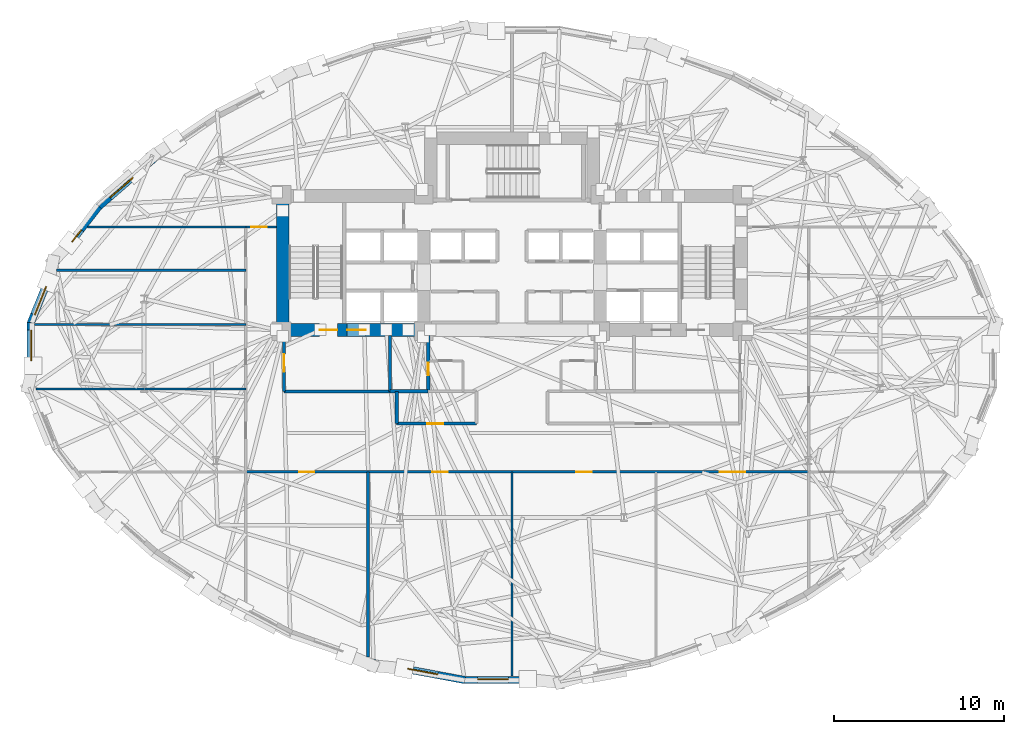
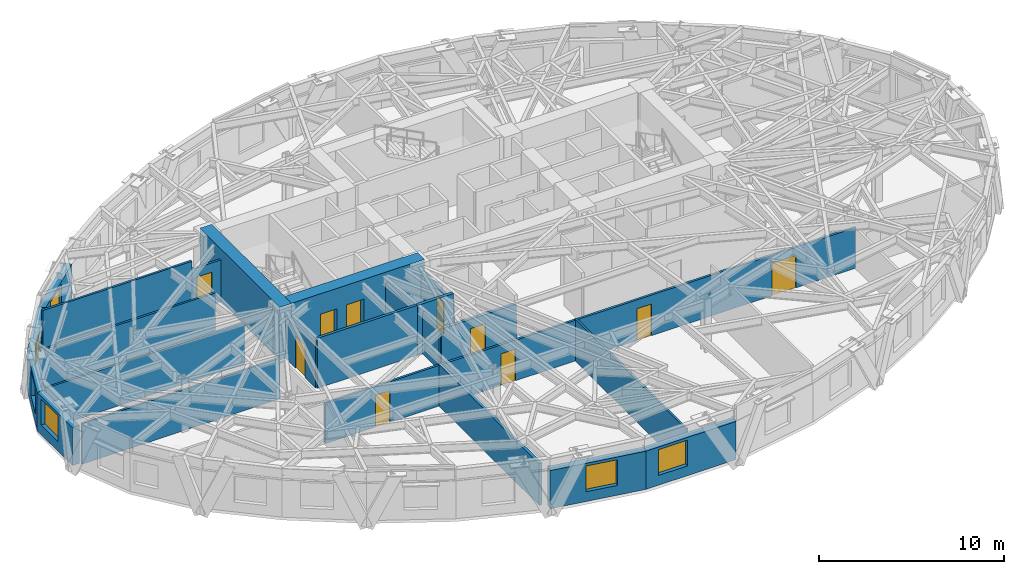
# One storey, part 7 of 15: 23 walls, 10 doors, 6 windows, 16 openings.
"""IFC4 building model written with IfcOpenShell, lengths in metres."""

from ifc_helpers import new_model, si_unit, direction, frame, frame_2d, origin, place, context, subcontext, project, spatial, rectangle, extrude, material, layer, layer_set, type_object, element, fill, save


model = new_model("IFC4")

# Units and contexts
model_context = context("Model", 3, precision=1e-05, world=origin(), true_north=direction((0.0, 1.0)))
body_context = subcontext(model_context, "Body", "Model", "MODEL_VIEW")
ifc_project = project(units=[si_unit("LENGTHUNIT", "METRE"), si_unit("AREAUNIT", "SQUARE_METRE"), si_unit("VOLUMEUNIT", "CUBIC_METRE"), si_unit("PLANEANGLEUNIT", "RADIAN"), si_unit("MASSUNIT", "GRAM", prefix="KILO")], contexts=[model_context])

# Site, building, storey
site_placement = place(None, origin())
site = spatial("IfcSite", under=ifc_project, at=site_placement, CompositionType="ELEMENT")
building_placement = place(site_placement, origin())
building = spatial("IfcBuilding", under=site, at=building_placement, Name="Keldmark Tower", CompositionType="ELEMENT")
storey_placement = place(building_placement, frame((0.0, 0.0, 93.10009765625)))
storey = spatial("IfcBuildingStorey", under=building, at=storey_placement, Name="L24", CompositionType="ELEMENT", Elevation=93.10009765625)

# Wall, openings, doors
ifc_material_1 = material(Name="Acoustic Double-Layer Gypsum Corridor Partition", Category="gypsum")
ifc_layer_1 = layer(ifc_material_1, 0.139892578125)
ifc_layer_set_1 = layer_set([ifc_layer_1], Name="Acoustic Double-Layer Gypsum Corridor Partition")
wall_type_1 = type_object("IfcWallType", Name="Acoustic Corridor Partition 140 mm", PredefinedType="PARTITIONING", material=ifc_layer_set_1)
wall_1_placement = place(storey_placement, frame((-15.699951171875, -6.89990234375, 0.0), z_axis=(0.0, 0.0, 1.0), x_axis=(1.0, 0.0, 0.0)))
wall_1 = element("IfcWall", 1, at=wall_1_placement, inside=storey, type_object=wall_type_1, Name="L24 Acoustic Corridor Partition 140 mm COR-S", PredefinedType="PARTITIONING", context=body_context, shape_type="SweptSolid", body=[
    extrude(rectangle(XDim=33.199951171875, YDim=0.139892578125, at=frame_2d((16.60009765625, 0.0))), origin(), (0.0, 0.0, 1.0), 2.68798828125),
])
opening_1_placement = place(wall_1_placement, frame((3.14990234375, 0.0, 0.0)))
opening_1 = element("IfcOpeningElement", 2, at=opening_1_placement, cuts=wall_1, Name="Opening D-IN090", PredefinedType="OPENING", context=body_context, shape_type="SweptSolid", body=[
    extrude(rectangle(XDim=0.89990234375, YDim=2.10009765625, at=frame_2d((0.449951171875, 1.050048828125))), frame((0.0, 0.079833984375, 0.0), z_axis=(0.0, -1.0, 0.0), x_axis=(1.0, 0.0, 0.0)), (0.0, 0.0, 1.0), 0.159912109375),
])
opening_2_placement = place(wall_1_placement, frame((11.0, 0.0, 0.0)))
opening_2 = element("IfcOpeningElement", 3, at=opening_2_placement, cuts=wall_1, Name="Opening D-IN090", PredefinedType="OPENING", context=body_context, shape_type="SweptSolid", body=[
    extrude(rectangle(XDim=0.89990234375, YDim=2.10009765625, at=frame_2d((0.449951171875, 1.050048828125))), frame((0.0, 0.079833984375, 0.0), z_axis=(0.0, -1.0, 0.0), x_axis=(1.0, 0.0, 0.0)), (0.0, 0.0, 1.0), 0.159912109375),
])
opening_3_placement = place(wall_1_placement, frame((19.5, 0.0, 0.0)))
opening_3 = element("IfcOpeningElement", 4, at=opening_3_placement, cuts=wall_1, Name="Opening D-IN090", PredefinedType="OPENING", context=body_context, shape_type="SweptSolid", body=[
    extrude(rectangle(XDim=0.89990234375, YDim=2.10009765625, at=frame_2d((0.449951171875, 1.050048828125))), frame((0.0, 0.079833984375, 0.0), z_axis=(0.0, -1.0, 0.0), x_axis=(1.0, 0.0, 0.0)), (0.0, 0.0, 1.0), 0.159912109375),
])
opening_4_placement = place(wall_1_placement, frame((27.949951171875, 0.0, 0.0)))
opening_4 = element("IfcOpeningElement", 5, at=opening_4_placement, cuts=wall_1, Name="Opening D-CF150", PredefinedType="OPENING", context=body_context, shape_type="SweptSolid", body=[
    extrude(rectangle(XDim=1.5, YDim=2.14990234375, at=frame_2d((0.75, 1.074951171875))), frame((0.0, 0.079833984375, 0.0), z_axis=(0.0, -1.0, 0.0), x_axis=(1.0, 0.0, 0.0)), (0.0, 0.0, 1.0), 0.159912109375),
])
ifc_material_2 = material(Name="Acoustic Timber and Tempered Glass Double Door", Category="wood")
door_type_1 = type_object("IfcDoorType", Name="Conference Double Door 1500x2150", OperationType="DOUBLE_DOOR_SINGLE_SWING", PredefinedType="DOOR", material=ifc_material_2)
door_1_placement = place(opening_4_placement, origin())
door_1 = element("IfcDoor", 6, at=door_1_placement, inside=storey, type_object=door_type_1, Name="L24 Conference Double Door 1500x2150 D-SR-4-L24", OperationType="DOUBLE_DOOR_SINGLE_SWING", OverallHeight=2.14990234375, OverallWidth=1.5, PredefinedType="DOOR", context=body_context, shape_type="SweptSolid", body=[
    extrude(rectangle(XDim=1.5, YDim=2.14990234375, at=frame_2d((0.75, 1.074951171875))), frame((0.0, 0.02490234375, 0.0), z_axis=(0.0, -1.0, 0.0), x_axis=(1.0, 0.0, 0.0)), (0.0, 0.0, 1.0), 0.050048828125),
])
fill(opening_4, door_1)
ifc_material_3 = material(Name="Stained American White Oak Veneer", Category="wood")
door_type_2 = type_object("IfcDoorType", Name="Interior Door 900x2100", OperationType="NOTDEFINED", PredefinedType="DOOR", material=ifc_material_3)
door_2_placement = place(opening_1_placement, origin())
door_2 = element("IfcDoor", 7, at=door_2_placement, inside=storey, type_object=door_type_2, Name="L24 Interior Door 900x2100 D-SR-1-L24", OperationType="SINGLE_SWING_LEFT", OverallHeight=2.10009765625, OverallWidth=0.89990234375, PredefinedType="DOOR", context=body_context, shape_type="SweptSolid", body=[
    extrude(rectangle(XDim=0.89990234375, YDim=2.10009765625, at=frame_2d((0.449951171875, 1.050048828125))), frame((0.0, 0.02490234375, 0.0), z_axis=(0.0, -1.0, 0.0), x_axis=(1.0, 0.0, 0.0)), (0.0, 0.0, 1.0), 0.050048828125),
])
fill(opening_1, door_2)
door_3_placement = place(opening_2_placement, origin())
door_3 = element("IfcDoor", 8, at=door_3_placement, inside=storey, type_object=door_type_2, Name="L24 Interior Door 900x2100 D-SR-2-L24", OperationType="SINGLE_SWING_RIGHT", OverallHeight=2.10009765625, OverallWidth=0.89990234375, PredefinedType="DOOR", context=body_context, shape_type="SweptSolid", body=[
    extrude(rectangle(XDim=0.89990234375, YDim=2.10009765625, at=frame_2d((0.449951171875, 1.050048828125))), frame((0.0, 0.02490234375, 0.0), z_axis=(0.0, -1.0, 0.0), x_axis=(1.0, 0.0, 0.0)), (0.0, 0.0, 1.0), 0.050048828125),
])
fill(opening_2, door_3)
door_4_placement = place(opening_3_placement, origin())
door_4 = element("IfcDoor", 9, at=door_4_placement, inside=storey, type_object=door_type_2, Name="L24 Interior Door 900x2100 D-SR-3-L24", OperationType="SINGLE_SWING_LEFT", OverallHeight=2.10009765625, OverallWidth=0.89990234375, PredefinedType="DOOR", context=body_context, shape_type="SweptSolid", body=[
    extrude(rectangle(XDim=0.89990234375, YDim=2.10009765625, at=frame_2d((0.449951171875, 1.050048828125))), frame((0.0, 0.02490234375, 0.0), z_axis=(0.0, -1.0, 0.0), x_axis=(1.0, 0.0, 0.0)), (0.0, 0.0, 1.0), 0.050048828125),
])
fill(opening_3, door_4)

# Wall, opening, door
wall_2_placement = place(storey_placement, frame((-15.699951171875, 7.550048828125, 0.0), z_axis=(0.0, 0.0, 1.0), x_axis=(1.0, 0.0, 0.0)))
wall_2 = element("IfcWall", 10, at=wall_2_placement, inside=storey, type_object=wall_type_1, Name="L24 Acoustic Corridor Partition 140 mm COR-WN-CAP", PredefinedType="PARTITIONING", context=body_context, shape_type="SweptSolid", body=[
    extrude(rectangle(XDim=1.800048828125, YDim=0.139892578125, at=frame_2d((0.89990234375, 0.0))), origin(), (0.0, 0.0, 1.0), 2.762939453125),
])
opening_5_placement = place(wall_2_placement, frame((0.320068359375, 0.0, 0.0)))
opening_5 = element("IfcOpeningElement", 11, at=opening_5_placement, cuts=wall_2, Name="Opening D-EX092", PredefinedType="OPENING", context=body_context, shape_type="SweptSolid", body=[
    extrude(rectangle(XDim=0.919921875, YDim=2.14990234375, at=frame_2d((0.4599609375, 1.074951171875))), frame((0.0, 0.079833984375, 0.0), z_axis=(0.0, -1.0, 0.0), x_axis=(1.0, 0.0, 0.0)), (0.0, 0.0, 1.0), 0.159912109375),
])
ifc_material_4 = material(Name="Flush American Ash Executive Office Door", Category="wood")
door_type_3 = type_object("IfcDoorType", Name="Executive Office Door 920x2150", OperationType="NOTDEFINED", PredefinedType="DOOR", material=ifc_material_4)
door_5_placement = place(opening_5_placement, origin())
door_5 = element("IfcDoor", 12, at=door_5_placement, inside=storey, type_object=door_type_3, Name="L24 Executive Office Door 920x2150 D-NRNW-L24", OperationType="SINGLE_SWING_LEFT", OverallHeight=2.14990234375, OverallWidth=0.919921875, PredefinedType="DOOR", context=body_context, shape_type="SweptSolid", body=[
    extrude(rectangle(XDim=0.919921875, YDim=2.14990234375, at=frame_2d((0.4599609375, 1.074951171875))), frame((0.0, 0.02490234375, 0.0), z_axis=(0.0, -1.0, 0.0), x_axis=(1.0, 0.0, 0.0)), (0.0, 0.0, 1.0), 0.050048828125),
])
fill(opening_5, door_5)

# Wall
ifc_material_5 = material(Name="STC-58 Insulated Tenant Demising Gypsum Partition", Category="gypsum")
ifc_layer_2 = layer(ifc_material_5, 0.175048828125)
ifc_layer_set_2 = layer_set([ifc_layer_2], Name="STC-58 Insulated Tenant Demising Gypsum Partition")
wall_type_2 = type_object("IfcWallType", Name="Demising Suite Partition 175 mm", PredefinedType="PARTITIONING", material=ifc_layer_set_2)
wall_3_placement = place(storey_placement, frame((-8.5, -17.81591796875, 0.0), z_axis=(0.0, 0.0, 1.0), x_axis=(0.0, 1.0, 0.0)))
element("IfcWall", 13, at=wall_3_placement, inside=storey, type_object=wall_type_2, Name="L24 Demising Suite Partition 175 mm S-DIV-1", PredefinedType="PARTITIONING", context=body_context, shape_type="SweptSolid", body=[
    extrude(rectangle(XDim=10.916015625, YDim=0.175048828125, at=frame_2d((5.4580078125, 0.0))), origin(), (0.0, 0.0, 1.0), 2.762939453125),
])

# Wall, opening, door
ifc_material_6 = material(Name="Heavy Acoustic Plumbing Chase Gypsum Assembly", Category="gypsum")
ifc_layer_3 = layer(ifc_material_6, 0.18994140625)
ifc_layer_set_3 = layer_set([ifc_layer_3], Name="Heavy Acoustic Plumbing Chase Gypsum Assembly")
wall_type_3 = type_object("IfcWallType", Name="Heavy Wet Wall 190 mm", PredefinedType="PLUMBINGWALL", material=ifc_layer_set_3)
wall_4_placement = place(storey_placement, frame((-6.800048828125, -4.050048828125, 0.0), z_axis=(0.0, 0.0, 1.0), x_axis=(1.0, 0.0, 0.0)))
wall_4 = element("IfcWall", 14, at=wall_4_placement, inside=storey, type_object=wall_type_3, Name="L24 Heavy Wet Wall 190 mm SPK-W-S", PredefinedType="PLUMBINGWALL", context=body_context, shape_type="SweptSolid", body=[
    extrude(rectangle(XDim=4.699951171875, YDim=0.18994140625, at=frame_2d((2.35009765625, 0.0))), origin(), (0.0, 0.0, 1.0), 2.762939453125),
])
opening_6_placement = place(wall_4_placement, frame((1.800048828125, 0.0, 0.0)))
opening_6 = element("IfcOpeningElement", 15, at=opening_6_placement, cuts=wall_4, Name="Opening D-AWC95", PredefinedType="OPENING", context=body_context, shape_type="SweptSolid", body=[
    extrude(rectangle(XDim=0.949951171875, YDim=2.14990234375, at=frame_2d((0.47509765625, 1.074951171875))), frame((0.0, 0.10498046875, 0.0), z_axis=(0.0, -1.0, 0.0), x_axis=(1.0, 0.0, 0.0)), (0.0, 0.0, 1.0), 0.2099609375),
])
ifc_material_7 = material(Name="Painted Solid-Core Architectural Wood", Category="wood")
door_type_4 = type_object("IfcDoorType", Name="Accessible WC Door 950x2150", OperationType="NOTDEFINED", PredefinedType="DOOR", material=ifc_material_7)
door_6_placement = place(opening_6_placement, origin())
door_6 = element("IfcDoor", 16, at=door_6_placement, inside=storey, type_object=door_type_4, Name="L24 Accessible WC Door 950x2150 D-SPKW1-L24", OperationType="SINGLE_SWING_LEFT", OverallHeight=2.14990234375, OverallWidth=0.949951171875, PredefinedType="DOOR", context=body_context, shape_type="SweptSolid", body=[
    extrude(rectangle(XDim=0.949951171875, YDim=2.14990234375, at=frame_2d((0.47509765625, 1.074951171875))), frame((0.0, 0.02490234375, 0.0), z_axis=(0.0, -1.0, 0.0), x_axis=(1.0, 0.0, 0.0)), (0.0, 0.0, 1.0), 0.050048828125),
])
fill(opening_6, door_6)

# Walls
wall_5_placement = place(storey_placement, frame((-6.800048828125, -4.050048828125, 0.0), z_axis=(0.0, 0.0, 1.0), x_axis=(0.0, 1.0, 0.0)))
element("IfcWall", 17, at=wall_5_placement, inside=storey, type_object=wall_type_3, Name="L24 Heavy Wet Wall 190 mm SPK-W-W", PredefinedType="PLUMBINGWALL", context=body_context, shape_type="SweptSolid", body=[
    extrude(rectangle(XDim=1.900146484375, YDim=0.18994140625, at=frame_2d((0.9501953125, 0.0))), origin(), (0.0, 0.0, 1.0), 2.762939453125),
])
ifc_material_8 = material(Name="Acoustic Gypsum Board Interior Partition", Category="gypsum")
ifc_layer_4 = layer(ifc_material_8, 0.1298828125)
ifc_layer_set_4 = layer_set([ifc_layer_4], Name="Acoustic Gypsum Board Interior Partition")
wall_type_4 = type_object("IfcWallType", Name="Interior Partition 130 mm", PredefinedType="PARTITIONING", material=ifc_layer_set_4)
wall_6_placement = place(storey_placement, frame((0.0, -18.94580078125, 0.0), z_axis=(0.0, 0.0, 1.0), x_axis=(0.0, 1.0, 0.0)))
element("IfcWall", 18, at=wall_6_placement, inside=storey, type_object=wall_type_4, Name="L24 Interior Partition 130 mm S-DIV-2", PredefinedType="PARTITIONING", context=body_context, shape_type="SweptSolid", body=[
    extrude(rectangle(XDim=12.0458984375, YDim=0.1298828125, at=frame_2d((6.02294921875, 0.0))), origin(), (0.0, 0.0, 1.0), 2.762939453125),
])
wall_7_placement = place(storey_placement, frame((-25.02734375, 7.550048828125, 0.0), z_axis=(0.0, 0.0, 1.0), x_axis=(1.0, 0.0, 0.0)))
element("IfcWall", 19, at=wall_7_placement, inside=storey, type_object=wall_type_4, Name="L24 Interior Partition 130 mm W-CAP-N", PredefinedType="PARTITIONING", context=body_context, shape_type="SweptSolid", body=[
    extrude(rectangle(XDim=9.327392578125, YDim=0.1298828125, at=frame_2d((4.66357421875, 0.0))), origin(), (0.0, 0.0, 1.0), 3.309814453125),
])
wall_8_placement = place(storey_placement, frame((-28.09130859375, -2.0, 0.0), z_axis=(0.0, 0.0, 1.0), x_axis=(1.0, 0.0, 0.0)))
element("IfcWall", 20, at=wall_8_placement, inside=storey, type_object=wall_type_4, Name="L24 Interior Partition 130 mm W-DIV-1", PredefinedType="PARTITIONING", context=body_context, shape_type="SweptSolid", body=[
    extrude(rectangle(XDim=12.391357421875, YDim=0.1298828125, at=frame_2d((6.19580078125, 0.0))), origin(), (0.0, 0.0, 1.0), 2.68798828125),
])
wall_9_placement = place(storey_placement, frame((-28.1630859375, 1.800048828125, 0.0), z_axis=(0.0, 0.0, 1.0), x_axis=(1.0, 0.0, 0.0)))
element("IfcWall", 21, at=wall_9_placement, inside=storey, type_object=wall_type_4, Name="L24 Interior Partition 130 mm W-DIV-2", PredefinedType="PARTITIONING", context=body_context, shape_type="SweptSolid", body=[
    extrude(rectangle(XDim=12.463134765625, YDim=0.1298828125, at=frame_2d((6.2314453125, 0.0))), origin(), (0.0, 0.0, 1.0), 2.7509765625),
])
wall_10_placement = place(storey_placement, frame((-26.878173828125, 5.0, 0.0), z_axis=(0.0, 0.0, 1.0), x_axis=(1.0, 0.0, 0.0)))
element("IfcWall", 22, at=wall_10_placement, inside=storey, type_object=wall_type_4, Name="L24 Interior Partition 130 mm W-DIV-3", PredefinedType="PARTITIONING", context=body_context, shape_type="SweptSolid", body=[
    extrude(rectangle(XDim=11.17822265625, YDim=0.1298828125, at=frame_2d((5.589111328125, 0.0))), origin(), (0.0, 0.0, 1.0), 2.762939453125),
])
ifc_material_9 = material(Name="Concrete C70/85", Category="concrete")
ifc_layer_5 = layer(ifc_material_9, 0.75)
ifc_layer_set_5 = layer_set([ifc_layer_5], Name="Concrete C70/85")
wall_type_5 = type_object("IfcWallType", Name="Low-Mid Core Shear Wall 750 mm", PredefinedType="SHEAR", material=ifc_layer_set_5)
wall_11_placement = place(storey_placement, frame((-13.52490234375, 1.10009765625, 0.0), z_axis=(0.0, 0.0, 1.0), x_axis=(0.0, 1.0, 0.0)))
element("IfcWall", 23, at=wall_11_placement, inside=storey, type_object=wall_type_5, Name="L24 West Core Outer Shear Wall", PredefinedType="SHEAR", context=body_context, shape_type="SweptSolid", body=[
    extrude(rectangle(XDim=8.64990234375, YDim=0.75, at=frame_2d((4.324951171875, 0.0))), origin(), (0.0, 0.0, 1.0), 3.5),
])

# Wall, openings, doors
wall_12_placement = place(storey_placement, frame((-4.824951171875, 1.47509765625, 0.0), z_axis=(0.0, 0.0, 1.0), x_axis=(-1.0, 0.0, 0.0)))
wall_12 = element("IfcWall", 24, at=wall_12_placement, inside=storey, type_object=wall_type_5, Name="L24 West Core South Shear Wall", PredefinedType="SHEAR", context=body_context, shape_type="SweptSolid", body=[
    extrude(rectangle(XDim=9.074951171875, YDim=0.75, at=frame_2d((4.53759765625, 0.0))), origin(), (0.0, 0.0, 1.0), 3.5),
])
opening_7_placement = place(wall_12_placement, frame((5.47509765625, 0.0, 0.0)))
opening_7 = element("IfcOpeningElement", 25, at=opening_7_placement, cuts=wall_12, Name="Opening D-ST105", PredefinedType="OPENING", context=body_context, shape_type="SweptSolid", body=[
    extrude(rectangle(XDim=1.050048828125, YDim=2.14990234375, at=frame_2d((0.52490234375, 1.074951171875))), frame((0.0, 0.385009765625, 0.0), z_axis=(0.0, -1.0, 0.0), x_axis=(1.0, 0.0, 0.0)), (0.0, 0.0, 1.0), 0.77001953125),
])
opening_8_placement = place(wall_12_placement, frame((3.804931640625, 0.0, 0.0)))
opening_8 = element("IfcOpeningElement", 26, at=opening_8_placement, cuts=wall_12, Name="Opening LD-110", PredefinedType="OPENING", context=body_context, shape_type="SweptSolid", body=[
    extrude(rectangle(XDim=1.10009765625, YDim=2.199951171875, at=frame_2d((0.550048828125, 1.10009765625))), frame((0.0, 0.385009765625, 0.0), z_axis=(0.0, -1.0, 0.0), x_axis=(1.0, 0.0, 0.0)), (0.0, 0.0, 1.0), 0.77001953125),
])
ifc_material_10 = material(Name="Brushed Bronze Hoistway Sliding Leaf", Category="metal")
door_type_5 = type_object("IfcDoorType", Name="Lift Landing Sliding Door 1100x2200", OperationType="SLIDING_TO_LEFT", PredefinedType="DOOR", material=ifc_material_10)
door_7_placement = place(opening_8_placement, origin())
door_7 = element("IfcDoor", 27, at=door_7_placement, inside=storey, type_object=door_type_5, Name="L24 Lift Landing Sliding Door 1100x2200 LD-EL-FS1-L24", OperationType="SLIDING_TO_LEFT", OverallHeight=2.199951171875, OverallWidth=1.10009765625, PredefinedType="DOOR", context=body_context, shape_type="SweptSolid", body=[
    extrude(rectangle(XDim=1.10009765625, YDim=2.199951171875, at=frame_2d((0.550048828125, 1.10009765625))), frame((0.0, 0.02490234375, 0.0), z_axis=(0.0, -1.0, 0.0), x_axis=(1.0, 0.0, 0.0)), (0.0, 0.0, 1.0), 0.050048828125),
])
fill(opening_8, door_7)
ifc_material_11 = material(Name="Hollow Metal Fire-Rated Door Assembly", Category="metal")
door_type_6 = type_object("IfcDoorType", Name="Stair Fire Door 1050x2150", OperationType="NOTDEFINED", PredefinedType="DOOR", material=ifc_material_11)
door_8_placement = place(opening_7_placement, origin())
door_8 = element("IfcDoor", 28, at=door_8_placement, inside=storey, type_object=door_type_6, Name="L24 Stair Fire Door 1050x2150 D-ST1-L24", OperationType="SINGLE_SWING_RIGHT", OverallHeight=2.14990234375, OverallWidth=1.050048828125, PredefinedType="DOOR", context=body_context, shape_type="SweptSolid", body=[
    extrude(rectangle(XDim=1.050048828125, YDim=2.14990234375, at=frame_2d((0.52490234375, 1.074951171875))), frame((0.0, 0.02490234375, 0.0), z_axis=(0.0, -1.0, 0.0), x_axis=(1.0, 0.0, 0.0)), (0.0, 0.0, 1.0), 0.050048828125),
])
fill(opening_7, door_8)

# Wall
ifc_material_12 = material(Name="Type X Fire-Rated Gypsum Partition Assembly", Category="gypsum")
ifc_layer_6 = layer(ifc_material_12, 0.1650390625)
ifc_layer_set_6 = layer_set([ifc_layer_6], Name="Type X Fire-Rated Gypsum Partition Assembly")
wall_type_6 = type_object("IfcWallType", Name="Rated Partition 165 mm", PredefinedType="PARTITIONING", material=ifc_layer_set_6)
wall_13_placement = place(storey_placement, frame((-13.449951171875, -2.14990234375, 0.0), z_axis=(0.0, 0.0, 1.0), x_axis=(1.0, 0.0, 0.0)))
element("IfcWall", 29, at=wall_13_placement, inside=storey, type_object=wall_type_6, Name="L24 Rated Partition 165 mm FSAE-W-S", PredefinedType="PARTITIONING", context=body_context, shape_type="SweptSolid", body=[
    extrude(rectangle(XDim=6.25, YDim=0.1650390625, at=frame_2d((3.125, 0.0))), origin(), (0.0, 0.0, 1.0), 3.309814453125),
])

# Wall, opening, door
wall_14_placement = place(storey_placement, frame((-13.449951171875, -2.14990234375, 0.0), z_axis=(0.0, 0.0, 1.0), x_axis=(0.0, 1.0, 0.0)))
wall_14 = element("IfcWall", 30, at=wall_14_placement, inside=storey, type_object=wall_type_6, Name="L24 Rated Partition 165 mm FSAE-W-W", PredefinedType="PARTITIONING", context=body_context, shape_type="SweptSolid", body=[
    extrude(rectangle(XDim=3.2998046875, YDim=0.1650390625, at=frame_2d((1.64990234375, 0.0))), origin(), (0.0, 0.0, 1.0), 2.762939453125),
])
opening_9_placement = place(wall_14_placement, frame((1.14990234375, 0.0, 0.0)))
opening_9 = element("IfcOpeningElement", 31, at=opening_9_placement, cuts=wall_14, Name="Opening D-FL105", PredefinedType="OPENING", context=body_context, shape_type="SweptSolid", body=[
    extrude(rectangle(XDim=1.050048828125, YDim=2.14990234375, at=frame_2d((0.52490234375, 1.074951171875))), frame((0.0, 0.092529296875, 0.0), z_axis=(0.0, -1.0, 0.0), x_axis=(1.0, 0.0, 0.0)), (0.0, 0.0, 1.0), 0.18505859375),
])
ifc_material_13 = material(Name="Fire-Rated Mineral-Core Door and Vision Lite", Category="metal")
door_type_7 = type_object("IfcDoorType", Name="Fire Lobby Door 1050x2150", OperationType="NOTDEFINED", PredefinedType="DOOR", material=ifc_material_13)
door_9_placement = place(opening_9_placement, origin())
door_9 = element("IfcDoor", 32, at=door_9_placement, inside=storey, type_object=door_type_7, Name="L24 Fire Lobby Door 1050x2150 D-FSAEW-OUT-L24", OperationType="SINGLE_SWING_LEFT", OverallHeight=2.14990234375, OverallWidth=1.050048828125, PredefinedType="DOOR", context=body_context, shape_type="SweptSolid", body=[
    extrude(rectangle(XDim=1.050048828125, YDim=2.14990234375, at=frame_2d((0.52490234375, 1.074951171875))), frame((0.0, 0.02490234375, 0.0), z_axis=(0.0, -1.0, 0.0), x_axis=(1.0, 0.0, 0.0)), (0.0, 0.0, 1.0), 0.050048828125),
])
fill(opening_9, door_9)

# Walls
wall_15_placement = place(storey_placement, frame((-7.199951171875, -2.14990234375, 0.0), z_axis=(0.0, 0.0, 1.0), x_axis=(0.0, 1.0, 0.0)))
element("IfcWall", 33, at=wall_15_placement, inside=storey, type_object=wall_type_6, Name="L24 Rated Partition 165 mm FSAE-W-E", PredefinedType="PARTITIONING", context=body_context, shape_type="SweptSolid", body=[
    extrude(rectangle(XDim=3.2998046875, YDim=0.1650390625, at=frame_2d((1.64990234375, 0.0))), origin(), (0.0, 0.0, 1.0), 2.762939453125),
])
ifc_material_14 = material(Name="Fire-Resistant Type X Gypsum Shaftliner Coreboard", Category="gypsum")
ifc_layer_7 = layer(ifc_material_14, 0.199951171875)
ifc_layer_set_7 = layer_set([ifc_layer_7], Name="Fire-Resistant Type X Gypsum Shaftliner Coreboard")
wall_type_7 = type_object("IfcWallType", Name="Shaft Wall 200 mm", PredefinedType="SOLIDWALL", material=ifc_layer_set_7)
wall_16_placement = place(storey_placement, frame((-7.199951171875, -2.14990234375, 0.0), z_axis=(0.0, 0.0, 1.0), x_axis=(1.0, 0.0, 0.0)))
element("IfcWall", 34, at=wall_16_placement, inside=storey, type_object=wall_type_7, Name="L24 Shaft Wall 200 mm RIS-SW-S", PredefinedType="SOLIDWALL", context=body_context, shape_type="SweptSolid", body=[
    extrude(rectangle(XDim=2.25, YDim=0.199951171875, at=frame_2d((1.125, 0.0))), origin(), (0.0, 0.0, 1.0), 3.309814453125),
])

# Wall, opening, door
wall_17_placement = place(storey_placement, frame((-4.949951171875, -2.14990234375, 0.0), z_axis=(0.0, 0.0, 1.0), x_axis=(0.0, 1.0, 0.0)))
wall_17 = element("IfcWall", 35, at=wall_17_placement, inside=storey, type_object=wall_type_7, Name="L24 Shaft Wall 200 mm RIS-SW-E", PredefinedType="SOLIDWALL", context=body_context, shape_type="SweptSolid", body=[
    extrude(rectangle(XDim=3.2998046875, YDim=0.199951171875, at=frame_2d((1.64990234375, 0.0))), origin(), (0.0, 0.0, 1.0), 2.762939453125),
])
opening_10_placement = place(wall_17_placement, frame((0.949951171875, 0.0, 0.0)))
opening_10 = element("IfcOpeningElement", 36, at=opening_10_placement, cuts=wall_17, Name="Opening D-RS075", PredefinedType="OPENING", context=body_context, shape_type="SweptSolid", body=[
    extrude(rectangle(XDim=0.75, YDim=2.10009765625, at=frame_2d((0.375, 1.050048828125))), frame((0.0, 0.10986328125, 0.0), z_axis=(0.0, -1.0, 0.0), x_axis=(1.0, 0.0, 0.0)), (0.0, 0.0, 1.0), 0.219970703125),
])
ifc_material_15 = material(Name="Galvanized Fire-Rated Access Leaf", Category="metal")
door_type_8 = type_object("IfcDoorType", Name="Riser Access Door 750x2100", OperationType="NOTDEFINED", PredefinedType="DOOR", material=ifc_material_15)
door_10_placement = place(opening_10_placement, origin())
door_10 = element("IfcDoor", 37, at=door_10_placement, inside=storey, type_object=door_type_8, Name="L24 Riser Access Door 750x2100 D-RISSW-L24", OperationType="SINGLE_SWING_RIGHT", OverallHeight=2.10009765625, OverallWidth=0.75, PredefinedType="DOOR", context=body_context, shape_type="SweptSolid", body=[
    extrude(rectangle(XDim=0.75, YDim=2.10009765625, at=frame_2d((0.375, 1.050048828125))), frame((0.0, 0.02490234375, 0.0), z_axis=(0.0, -1.0, 0.0), x_axis=(1.0, 0.0, 0.0)), (0.0, 0.0, 1.0), 0.050048828125),
])
fill(opening_10, door_10)

# Wall, opening, window
ifc_material_16 = material(Name="Ironspot Manganese Brick and Kasota Buff Limestone Spandrel Assembly", Category="masonry")
ifc_layer_8 = layer(ifc_material_16, 0.43994140625)
ifc_layer_set_8 = layer_set([ifc_layer_8], Name="Ironspot Manganese Brick and Kasota Buff Limestone Spandrel Assembly")
wall_type_8 = type_object("IfcWallType", Name="Tower Brick Pier and Spandrel Wall 440 mm", PredefinedType="STANDARD", material=ifc_layer_set_8)
wall_18_placement = place(storey_placement, frame((-24.405029296875, 8.728515625, 0.0), z_axis=(0.0, 0.0, 1.0), x_axis=(0.754922454992, 0.655814064312, 0.0)))
wall_18 = element("IfcWall", 38, at=wall_18_placement, inside=storey, type_object=wall_type_8, Name="L24 Exterior Brick and Spandrel Wall 13", PredefinedType="STANDARD", context=body_context, shape_type="SweptSolid", body=[
    extrude(rectangle(XDim=4.4267578125, YDim=0.43994140625, at=frame_2d((2.21337890625, 0.0))), origin(), (0.0, 0.0, 1.0), 2.52783203125),
])
opening_11_placement = place(wall_18_placement, frame((0.892578125, 0.0, 0.64990234375)))
opening_11 = element("IfcOpeningElement", 39, at=opening_11_placement, cuts=wall_18, Name="Opening W-02", PredefinedType="OPENING", context=body_context, shape_type="SweptSolid", body=[
    extrude(rectangle(XDim=1.800048828125, YDim=1.699951171875, at=frame_2d((0.89990234375, 0.85009765625))), frame((0.0, 0.22998046875, 0.0), z_axis=(0.0, -1.0, 0.0), x_axis=(1.0, 0.0, 0.0)), (0.0, 0.0, 1.0), 0.4599609375),
])
ifc_material_17 = material(Name="Thermally Broken Anodized Aluminum and Triple Low-E Argon Glazing", Category="aluminium")
window_type_1 = type_object("IfcWindowType", Name="Office Deep-Set Triple Window 1800x1700", PartitioningType="TRIPLE_PANEL_VERTICAL", PredefinedType="WINDOW", material=ifc_material_17)
window_1_placement = place(opening_11_placement, origin())
window_1 = element("IfcWindow", 40, at=window_1_placement, inside=storey, type_object=window_type_1, Name="L24 Deep-Set Window 13", OverallHeight=1.699951171875, OverallWidth=1.800048828125, PartitioningType="SINGLE_PANEL", PredefinedType="WINDOW", context=body_context, shape_type="SweptSolid", body=[
    extrude(rectangle(XDim=1.800048828125, YDim=1.699951171875, at=frame_2d((0.89990234375, 0.85009765625))), frame((0.0, -0.010009765625, 0.0), z_axis=(0.0, -1.0, 0.0), x_axis=(1.0, 0.0, 0.0)), (0.0, 0.0, 1.0), 0.06005859375),
])
fill(opening_11, window_1)

wall_19_placement = place(storey_placement, frame((-26.9541015625, 5.443115234375, 0.0), z_axis=(0.0, 0.0, 1.0), x_axis=(0.61375552181, 0.789496142769, 0.0)))
wall_19 = element("IfcWall", 41, at=wall_19_placement, inside=storey, type_object=wall_type_8, Name="L24 Exterior Brick and Spandrel Wall 14", PredefinedType="STANDARD", context=body_context, shape_type="SweptSolid", body=[
    extrude(rectangle(XDim=4.200927734375, YDim=0.43994140625, at=frame_2d((2.1005859375, 0.0))), origin(), (0.0, 0.0, 1.0), 2.52783203125),
])
opening_12_placement = place(wall_19_placement, frame((1.57666015625, 0.0, 0.580078125)))
opening_12 = element("IfcOpeningElement", 42, at=opening_12_placement, cuts=wall_19, Name="Opening W-09", PredefinedType="OPENING", context=body_context, shape_type="SweptSolid", body=[
    extrude(rectangle(XDim=0.89990234375, YDim=1.35009765625, at=frame_2d((0.449951171875, 0.675048828125))), frame((0.0, 0.22998046875, 0.0), z_axis=(0.0, -1.0, 0.0), x_axis=(1.0, 0.0, 0.0)), (0.0, 0.0, 1.0), 0.4599609375),
])
ifc_material_18 = material(Name="Thermally Broken Anodized Aluminum and Triple Low-E Argon Glazing", Category="aluminium")
window_type_2 = type_object("IfcWindowType", Name="Corner Pier Deep-Set Window 900x1350", PartitioningType="SINGLE_PANEL", PredefinedType="WINDOW", material=ifc_material_18)
window_2_placement = place(opening_12_placement, origin())
window_2 = element("IfcWindow", 43, at=window_2_placement, inside=storey, type_object=window_type_2, Name="L24 Deep-Set Window 14", OverallHeight=1.35009765625, OverallWidth=0.89990234375, PartitioningType="SINGLE_PANEL", PredefinedType="WINDOW", context=body_context, shape_type="SweptSolid", body=[
    extrude(rectangle(XDim=0.89990234375, YDim=1.35009765625, at=frame_2d((0.449951171875, 0.675048828125))), frame((0.0, -0.010009765625, 0.0), z_axis=(0.0, -1.0, 0.0), x_axis=(1.0, 0.0, 0.0)), (0.0, 0.0, 1.0), 0.06005859375),
])
fill(opening_12, window_2)

wall_20_placement = place(storey_placement, frame((-28.406982421875, 1.82763671875, 0.0), z_axis=(0.0, 0.0, 1.0), x_axis=(0.374920072969, 0.927057138954, 0.0)))
wall_20 = element("IfcWall", 44, at=wall_20_placement, inside=storey, type_object=wall_type_8, Name="L24 Exterior Brick and Spandrel Wall 15", PredefinedType="STANDARD", context=body_context, shape_type="SweptSolid", body=[
    extrude(rectangle(XDim=3.95654296875, YDim=0.43994140625, at=frame_2d((1.978271484375, 0.0))), origin(), (0.0, 0.0, 1.0), 2.52783203125),
])
opening_13_placement = place(wall_20_placement, frame((0.59033203125, 0.0, 0.64990234375)))
opening_13 = element("IfcOpeningElement", 45, at=opening_13_placement, cuts=wall_20, Name="Opening W-02", PredefinedType="OPENING", context=body_context, shape_type="SweptSolid", body=[
    extrude(rectangle(XDim=1.800048828125, YDim=1.699951171875, at=frame_2d((0.89990234375, 0.85009765625))), frame((0.0, 0.22998046875, 0.0), z_axis=(0.0, -1.0, 0.0), x_axis=(1.0, 0.0, 0.0)), (0.0, 0.0, 1.0), 0.4599609375),
])
window_3_placement = place(opening_13_placement, origin())
window_3 = element("IfcWindow", 46, at=window_3_placement, inside=storey, type_object=window_type_1, Name="L24 Deep-Set Window 15", OverallHeight=1.699951171875, OverallWidth=1.800048828125, PartitioningType="SINGLE_PANEL", PredefinedType="WINDOW", context=body_context, shape_type="SweptSolid", body=[
    extrude(rectangle(XDim=1.800048828125, YDim=1.699951171875, at=frame_2d((0.89990234375, 0.85009765625))), frame((0.0, -0.010009765625, 0.0), z_axis=(0.0, -1.0, 0.0), x_axis=(1.0, 0.0, 0.0)), (0.0, 0.0, 1.0), 0.06005859375),
])
fill(opening_13, window_3)

wall_21_placement = place(storey_placement, frame((-28.39111328125, -1.91015625, 0.0), z_axis=(0.0, 0.0, 1.0), x_axis=(0.0, 1.0, 0.0)))
wall_21 = element("IfcWall", 47, at=wall_21_placement, inside=storey, type_object=wall_type_8, Name="L24 Exterior Brick and Spandrel Wall 16", PredefinedType="STANDARD", context=body_context, shape_type="SweptSolid", body=[
    extrude(rectangle(XDim=3.8203125, YDim=0.43994140625, at=frame_2d((1.91015625, 0.0))), origin(), (0.0, 0.0, 1.0), 2.52783203125),
])
opening_14_placement = place(wall_21_placement, frame((1.57470703125, 0.0, 0.64990234375)))
opening_14 = element("IfcOpeningElement", 48, at=opening_14_placement, cuts=wall_21, Name="Opening W-02", PredefinedType="OPENING", context=body_context, shape_type="SweptSolid", body=[
    extrude(rectangle(XDim=1.800048828125, YDim=1.699951171875, at=frame_2d((0.89990234375, 0.85009765625))), frame((0.0, 0.22998046875, 0.0), z_axis=(0.0, -1.0, 0.0), x_axis=(1.0, 0.0, 0.0)), (0.0, 0.0, 1.0), 0.4599609375),
])
window_4_placement = place(opening_14_placement, origin())
window_4 = element("IfcWindow", 49, at=window_4_placement, inside=storey, type_object=window_type_1, Name="L24 Deep-Set Window 16", OverallHeight=1.699951171875, OverallWidth=1.800048828125, PartitioningType="SINGLE_PANEL", PredefinedType="WINDOW", context=body_context, shape_type="SweptSolid", body=[
    extrude(rectangle(XDim=1.800048828125, YDim=1.699951171875, at=frame_2d((0.89990234375, 0.85009765625))), frame((0.0, -0.010009765625, 0.0), z_axis=(0.0, -1.0, 0.0), x_axis=(1.0, 0.0, 0.0)), (0.0, 0.0, 1.0), 0.06005859375),
])
fill(opening_14, window_4)

wall_22_placement = place(storey_placement, frame((-2.777587890625, -19.177490234375, 0.0), z_axis=(0.0, 0.0, 1.0), x_axis=(-0.983175651308, 0.182662636232, 0.0)))
wall_22 = element("IfcWall", 50, at=wall_22_placement, inside=storey, type_object=wall_type_8, Name="L24 Exterior Brick and Spandrel Wall 23", PredefinedType="STANDARD", context=body_context, shape_type="SweptSolid", body=[
    extrude(rectangle(XDim=5.50390625, YDim=0.43994140625, at=frame_2d((2.751953125, 0.0))), origin(), (0.0, 0.0, 1.0), 2.52783203125),
])
opening_15_placement = place(wall_22_placement, frame((1.6298828125, 0.0, 0.64990234375)))
opening_15 = element("IfcOpeningElement", 51, at=opening_15_placement, cuts=wall_22, Name="Opening W-02", PredefinedType="OPENING", context=body_context, shape_type="SweptSolid", body=[
    extrude(rectangle(XDim=1.800048828125, YDim=1.699951171875, at=frame_2d((0.89990234375, 0.85009765625))), frame((0.0, 0.22998046875, 0.0), z_axis=(0.0, -1.0, 0.0), x_axis=(1.0, 0.0, 0.0)), (0.0, 0.0, 1.0), 0.4599609375),
])
window_5_placement = place(opening_15_placement, origin())
window_5 = element("IfcWindow", 52, at=window_5_placement, inside=storey, type_object=window_type_1, Name="L24 Deep-Set Window 23", OverallHeight=1.699951171875, OverallWidth=1.800048828125, PartitioningType="SINGLE_PANEL", PredefinedType="WINDOW", context=body_context, shape_type="SweptSolid", body=[
    extrude(rectangle(XDim=1.800048828125, YDim=1.699951171875, at=frame_2d((0.89990234375, 0.85009765625))), frame((0.0, -0.010009765625, 0.0), z_axis=(0.0, -1.0, 0.0), x_axis=(1.0, 0.0, 0.0)), (0.0, 0.0, 1.0), 0.06005859375),
])
fill(opening_15, window_5)

wall_23_placement = place(storey_placement, frame((2.81787109375, -19.173828125, 0.0), z_axis=(0.0, 0.0, 1.0), x_axis=(-1.0, 0.0, 0.0)))
wall_23 = element("IfcWall", 53, at=wall_23_placement, inside=storey, type_object=wall_type_8, Name="L24 Exterior Brick and Spandrel Wall 24", PredefinedType="STANDARD", context=body_context, shape_type="SweptSolid", body=[
    extrude(rectangle(XDim=5.6357421875, YDim=0.43994140625, at=frame_2d((2.81787109375, 0.0))), origin(), (0.0, 0.0, 1.0), 2.52783203125),
])
opening_16_placement = place(wall_23_placement, frame((3.038330078125, 0.0, 0.64990234375)))
opening_16 = element("IfcOpeningElement", 54, at=opening_16_placement, cuts=wall_23, Name="Opening W-02", PredefinedType="OPENING", context=body_context, shape_type="SweptSolid", body=[
    extrude(rectangle(XDim=1.800048828125, YDim=1.699951171875, at=frame_2d((0.89990234375, 0.85009765625))), frame((0.0, 0.22998046875, 0.0), z_axis=(0.0, -1.0, 0.0), x_axis=(1.0, 0.0, 0.0)), (0.0, 0.0, 1.0), 0.4599609375),
])
window_6_placement = place(opening_16_placement, origin())
window_6 = element("IfcWindow", 55, at=window_6_placement, inside=storey, type_object=window_type_1, Name="L24 Deep-Set Window 24", OverallHeight=1.699951171875, OverallWidth=1.800048828125, PartitioningType="SINGLE_PANEL", PredefinedType="WINDOW", context=body_context, shape_type="SweptSolid", body=[
    extrude(rectangle(XDim=1.800048828125, YDim=1.699951171875, at=frame_2d((0.89990234375, 0.85009765625))), frame((0.0, -0.010009765625, 0.0), z_axis=(0.0, -1.0, 0.0), x_axis=(1.0, 0.0, 0.0)), (0.0, 0.0, 1.0), 0.06005859375),
])
fill(opening_16, window_6)

save(model, "model.ifc")
